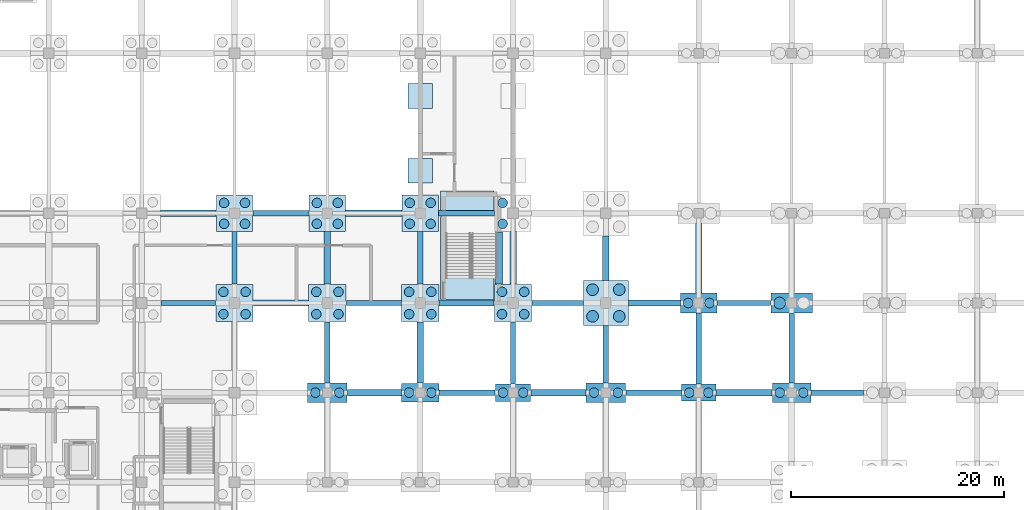
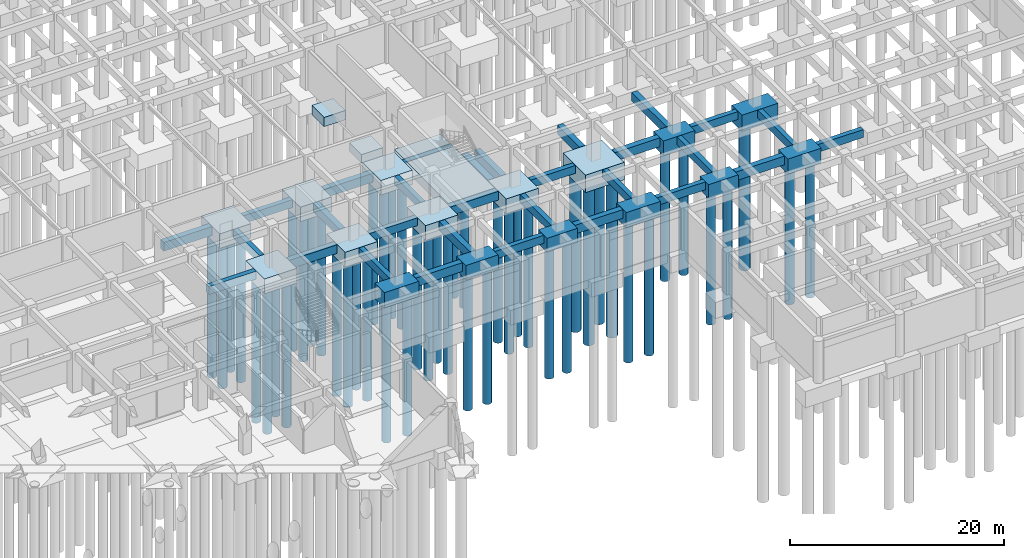
# One storey, part 6 of 33: 50 footings, 49 piles.
"""IFC4 building model written with IfcOpenShell, lengths in metres."""

from ifc_helpers import new_model, si_unit, derived_unit, direction, frame, origin, origin_2d, place, context, subcontext, project, spatial, rectangle, circle, extrude, material, material_profile, profile_set, type_object, element, save


model = new_model("IFC4")

# Units and contexts
model_context = context("Model", 3, precision=1e-05, world=origin(), true_north=direction((0.0, 1.0)))
body_context = subcontext(model_context, "Body", "Model", "MODEL_VIEW")
ifc_project = project(units=[si_unit("LENGTHUNIT", "METRE"), si_unit("AREAUNIT", "SQUARE_METRE"), si_unit("VOLUMEUNIT", "CUBIC_METRE"), si_unit("PLANEANGLEUNIT", "RADIAN"), si_unit("MASSUNIT", "GRAM", prefix="KILO"), derived_unit("THERMALTRANSMITTANCEUNIT", [(si_unit("MASSUNIT", "GRAM", prefix="KILO"), 1), (si_unit("TIMEUNIT", "SECOND"), -3), (si_unit("THERMODYNAMICTEMPERATUREUNIT", "KELVIN"), -1)])], contexts=[model_context])

# Site, building, storey
site_placement = place(None, origin())
site = spatial("IfcSite", under=ifc_project, at=site_placement, CompositionType="ELEMENT")
building_placement = place(site_placement, origin())
building = spatial("IfcBuilding", under=site, at=building_placement, Name="Qinzheling Arcade Emporium", CompositionType="ELEMENT")
storey_placement = place(building_placement, frame((0.0, 0.0, -9.60009765625)))
storey = spatial("IfcBuildingStorey", under=building, at=storey_placement, Name="B2", CompositionType="ELEMENT", Elevation=-9.60009765625)

# Footings
ifc_material = material(Name="Concrete C40", Category="concrete")
footing_type_1 = type_object("IfcFootingType", Name="Arcade Pad Footing 2400x2400x1050 C40", PredefinedType="PAD_FOOTING", material=ifc_material)
footing_1_placement = place(storey_placement, frame((87.0, 61.39990234375, -1.0498046875), z_axis=(0.0, 0.0, 1.0), x_axis=(1.0, 0.0, 0.0)))
element("IfcFooting", 1, at=footing_1_placement, inside=storey, type_object=footing_type_1, Name="Retaining Wall Pad Footing FND-PF-RW-085", PredefinedType="PAD_FOOTING", context=body_context, shape_type="SweptSolid", body=[
    extrude(rectangle(XDim=2.300048828125, YDim=2.300048828125, at=origin_2d()), origin(), (0.0, 0.0, 1.0), 1.050048828125),
])
footing_type_2 = type_object("IfcFootingType", Name="Canopy Pad Footing 2600x2600x1100 C40", PredefinedType="PAD_FOOTING", material=ifc_material)
footing_2_placement = place(storey_placement, frame((91.4150390625, 46.22509765625, -1.099853515625), z_axis=(0.0, 0.0, 1.0), x_axis=(1.0, 0.0, 0.0)))
element("IfcFooting", 2, at=footing_2_placement, inside=storey, type_object=footing_type_2, Name="Stair Core Mat Pad FND-PF-ST-ST04-1", PredefinedType="PAD_FOOTING", context=body_context, shape_type="SweptSolid", body=[
    extrude(rectangle(XDim=5.02587890625, YDim=7.805908203125, at=origin_2d()), origin(), (0.0, 0.0, 1.0), 1.10009765625),
])
footing_3_placement = place(storey_placement, frame((91.4150390625, 51.5849609375, -1.099853515625), z_axis=(0.0, 0.0, 1.0), x_axis=(1.0, 0.0, 0.0)))
element("IfcFooting", 3, at=footing_3_placement, inside=storey, type_object=footing_type_2, Name="Stair Core Mat Pad FND-PF-ST-ST04-2", PredefinedType="PAD_FOOTING", context=body_context, shape_type="SweptSolid", body=[
    extrude(rectangle(XDim=5.02587890625, YDim=1.825927734375, at=origin_2d()), origin(), (0.0, 0.0, 1.0), 1.10009765625),
])
footing_4_placement = place(storey_placement, frame((94.344970703125, 46.22509765625, -1.099853515625), z_axis=(0.0, 0.0, 1.0), x_axis=(1.0, 0.0, 0.0)))
element("IfcFooting", 4, at=footing_4_placement, inside=storey, type_object=footing_type_2, Name="Stair Core Mat Pad FND-PF-ST-ST04-3", PredefinedType="PAD_FOOTING", context=body_context, shape_type="SweptSolid", body=[
    extrude(rectangle(XDim=0.68603515625, YDim=4.906005859375, at=origin_2d()), origin(), (0.0, 0.0, 1.0), 1.10009765625),
])
footing_type_3 = type_object("IfcFootingType", Name="Foundation Tie Beam 500x900 C40", PredefinedType="FOOTING_BEAM", material=ifc_material)
footing_5_placement = place(storey_placement, frame((91.39990234375, 33.60009765625, -0.89990234375), z_axis=(0.0, 0.0, 1.0), x_axis=(1.0, 0.0, 0.0)))
element("IfcFooting", 5, at=footing_5_placement, inside=storey, type_object=footing_type_3, Name="Foundation Tie FND-FB-063", PredefinedType="FOOTING_BEAM", context=body_context, shape_type="SweptSolid", body=[
    extrude(rectangle(XDim=5.260009765625, YDim=0.5, at=origin_2d()), origin(), (0.0, 0.0, 1.0), 0.89990234375),
])
footing_6_placement = place(storey_placement, frame((108.875, 33.60009765625, -0.89990234375), z_axis=(0.0, 0.0, 1.0), x_axis=(1.0, 0.0, 0.0)))
element("IfcFooting", 6, at=footing_6_placement, inside=storey, type_object=footing_type_3, Name="Foundation Tie FND-FB-065", PredefinedType="FOOTING_BEAM", context=body_context, shape_type="SweptSolid", body=[
    extrude(rectangle(XDim=5.2099609375, YDim=0.5, at=origin_2d()), origin(), (0.0, 0.0, 1.0), 0.89990234375),
])
footing_7_placement = place(storey_placement, frame((126.074951171875, 33.60009765625, -0.89990234375), z_axis=(0.0, 0.0, 1.0), x_axis=(1.0, 0.0, 0.0)))
element("IfcFooting", 7, at=footing_7_placement, inside=storey, type_object=footing_type_3, Name="Foundation Tie FND-FB-067", PredefinedType="FOOTING_BEAM", context=body_context, shape_type="SweptSolid", body=[
    extrude(rectangle(XDim=4.909912109375, YDim=0.5, at=origin_2d()), origin(), (0.0, 0.0, 1.0), 0.89990234375),
])
footing_8_placement = place(storey_placement, frame((65.27490234375, 42.0, -0.89990234375), z_axis=(0.0, 0.0, 1.0), x_axis=(1.0, 0.0, 0.0)))
element("IfcFooting", 8, at=footing_8_placement, inside=storey, type_object=footing_type_3, Name="Foundation Tie FND-FB-079", PredefinedType="FOOTING_BEAM", context=body_context, shape_type="SweptSolid", body=[
    extrude(rectangle(XDim=5.110107421875, YDim=0.5, at=origin_2d()), origin(), (0.0, 0.0, 1.0), 0.89990234375),
])
footing_9_placement = place(storey_placement, frame((82.64990234375, 42.0, -0.89990234375), z_axis=(0.0, 0.0, 1.0), x_axis=(1.0, 0.0, 0.0)))
element("IfcFooting", 9, at=footing_9_placement, inside=storey, type_object=footing_type_3, Name="Foundation Tie FND-FB-081", PredefinedType="FOOTING_BEAM", context=body_context, shape_type="SweptSolid", body=[
    extrude(rectangle(XDim=5.159912109375, YDim=0.5, at=origin_2d()), origin(), (0.0, 0.0, 1.0), 0.89990234375),
])
footing_10_placement = place(storey_placement, frame((99.875, 42.0, -0.89990234375), z_axis=(0.0, 0.0, 1.0), x_axis=(1.0, 0.0, 0.0)))
element("IfcFooting", 10, at=footing_10_placement, inside=storey, type_object=footing_type_3, Name="Foundation Tie FND-FB-083", PredefinedType="FOOTING_BEAM", context=body_context, shape_type="SweptSolid", body=[
    extrude(rectangle(XDim=4.81005859375, YDim=0.5, at=origin_2d()), origin(), (0.0, 0.0, 1.0), 0.89990234375),
])
footing_11_placement = place(storey_placement, frame((117.324951171875, 42.0, -0.89990234375), z_axis=(0.0, 0.0, 1.0), x_axis=(1.0, 0.0, 0.0)))
element("IfcFooting", 11, at=footing_11_placement, inside=storey, type_object=footing_type_3, Name="Foundation Tie FND-FB-085", PredefinedType="FOOTING_BEAM", context=body_context, shape_type="SweptSolid", body=[
    extrude(rectangle(XDim=5.010009765625, YDim=0.5, at=origin_2d()), origin(), (0.0, 0.0, 1.0), 0.89990234375),
])
for number, where, z_axis, x_axis, name in (
    (12, (73.949951171875, 50.39990234375, -0.89990234375), (0.0, 0.0, 1.0), (1.0, 0.0, 0.0), "Foundation Tie FND-FB-097"),
    (13, (91.35009765625, 50.39990234375, -0.89990234375), (0.0, 0.0, 1.0), (1.0, 0.0, 0.0), "Foundation Tie FND-FB-099"),
):
    element("IfcFooting", number, at=place(storey_placement, frame(where, z_axis=z_axis, x_axis=x_axis)), inside=storey, type_object=footing_type_3, Name=name, PredefinedType="FOOTING_BEAM", context=body_context, shape_type="SweptSolid", body=[
        extrude(rectangle(XDim=5.260009765625, YDim=0.5, at=origin_2d()), origin(), (0.0, 0.0, 1.0), 0.89990234375),
    ])
footing_12_placement = place(storey_placement, frame((69.60009765625, 46.22509765625, -0.89990234375), z_axis=(0.0, 0.0, 1.0), x_axis=(1.0, 0.0, 0.0)))
element("IfcFooting", 14, at=footing_12_placement, inside=storey, type_object=footing_type_3, Name="Foundation Tie FND-FB-239", PredefinedType="FOOTING_BEAM", context=body_context, shape_type="SweptSolid", body=[
    extrude(rectangle(XDim=0.5, YDim=4.909912109375, at=origin_2d()), origin(), (0.0, 0.0, 1.0), 0.89990234375),
])
footing_13_placement = place(storey_placement, frame((78.300048828125, 37.375, -0.89990234375), z_axis=(0.0, 0.0, 1.0), x_axis=(1.0, 0.0, 0.0)))
element("IfcFooting", 15, at=footing_13_placement, inside=storey, type_object=footing_type_3, Name="Foundation Tie FND-FB-247", PredefinedType="FOOTING_BEAM", context=body_context, shape_type="SweptSolid", body=[
    extrude(rectangle(XDim=0.5, YDim=5.7099609375, at=origin_2d()), origin(), (0.0, 0.0, 1.0), 0.89990234375),
])
footing_14_placement = place(storey_placement, frame((87.0, 46.22509765625, -0.89990234375), z_axis=(0.0, 0.0, 1.0), x_axis=(1.0, 0.0, 0.0)))
element("IfcFooting", 16, at=footing_14_placement, inside=storey, type_object=footing_type_3, Name="Foundation Tie FND-FB-257", PredefinedType="FOOTING_BEAM", context=body_context, shape_type="SweptSolid", body=[
    extrude(rectangle(XDim=0.5, YDim=4.909912109375, at=origin_2d()), origin(), (0.0, 0.0, 1.0), 0.89990234375),
])
footing_15_placement = place(storey_placement, frame((95.699951171875, 37.3369140625, -0.89990234375), z_axis=(0.0, 0.0, 1.0), x_axis=(1.0, 0.0, 0.0)))
element("IfcFooting", 17, at=footing_15_placement, inside=storey, type_object=footing_type_3, Name="Foundation Tie FND-FB-265", PredefinedType="FOOTING_BEAM", context=body_context, shape_type="SweptSolid", body=[
    extrude(rectangle(XDim=0.5, YDim=5.784912109375, at=origin_2d()), origin(), (0.0, 0.0, 1.0), 0.89990234375),
])
footing_16_placement = place(storey_placement, frame((104.39990234375, 37.199951171875, -0.89990234375), z_axis=(0.0, 0.0, 1.0), x_axis=(1.0, 0.0, 0.0)))
element("IfcFooting", 18, at=footing_16_placement, inside=storey, type_object=footing_type_3, Name="Foundation Tie FND-FB-277", PredefinedType="FOOTING_BEAM", context=body_context, shape_type="SweptSolid", body=[
    extrude(rectangle(XDim=0.5, YDim=5.360107421875, at=origin_2d()), origin(), (0.0, 0.0, 1.0), 0.89990234375),
])
footing_17_placement = place(storey_placement, frame((113.10009765625, 37.737060546875, -0.89990234375), z_axis=(0.0, 0.0, 1.0), x_axis=(1.0, 0.0, 0.0)))
element("IfcFooting", 19, at=footing_17_placement, inside=storey, type_object=footing_type_3, Name="Foundation Tie FND-FB-289", PredefinedType="FOOTING_BEAM", context=body_context, shape_type="SweptSolid", body=[
    extrude(rectangle(XDim=0.5, YDim=6.635009765625, at=origin_2d()), origin(), (0.0, 0.0, 1.0), 0.89990234375),
])
footing_18_placement = place(storey_placement, frame((121.800048828125, 37.77490234375, -0.89990234375), z_axis=(0.0, 0.0, 1.0), x_axis=(1.0, 0.0, 0.0)))
element("IfcFooting", 20, at=footing_18_placement, inside=storey, type_object=footing_type_3, Name="Foundation Tie FND-FB-301", PredefinedType="FOOTING_BEAM", context=body_context, shape_type="SweptSolid", body=[
    extrude(rectangle(XDim=0.5, YDim=6.510009765625, at=origin_2d()), origin(), (0.0, 0.0, 1.0), 0.89990234375),
])
footing_type_4 = type_object("IfcFootingType", Name="Foundation Tie Beam 600x1000 C40", PredefinedType="FOOTING_BEAM", material=ifc_material)
footing_19_placement = place(storey_placement, frame((82.699951171875, 33.60009765625, -1.0), z_axis=(0.0, 0.0, 1.0), x_axis=(1.0, 0.0, 0.0)))
element("IfcFooting", 21, at=footing_19_placement, inside=storey, type_object=footing_type_4, Name="Foundation Tie FND-FB-062", PredefinedType="FOOTING_BEAM", context=body_context, shape_type="SweptSolid", body=[
    extrude(rectangle(XDim=5.06005859375, YDim=0.60009765625, at=origin_2d()), origin(), (0.0, 0.0, 1.0), 1.0),
])
footing_20_placement = place(storey_placement, frame((99.949951171875, 33.60009765625, -1.0), z_axis=(0.0, 0.0, 1.0), x_axis=(1.0, 0.0, 0.0)))
element("IfcFooting", 22, at=footing_20_placement, inside=storey, type_object=footing_type_4, Name="Foundation Tie FND-FB-064", PredefinedType="FOOTING_BEAM", context=body_context, shape_type="SweptSolid", body=[
    extrude(rectangle(XDim=5.159912109375, YDim=0.60009765625, at=origin_2d()), origin(), (0.0, 0.0, 1.0), 1.0),
])
footing_21_placement = place(storey_placement, frame((117.35009765625, 33.60009765625, -1.0), z_axis=(0.0, 0.0, 1.0), x_axis=(1.0, 0.0, 0.0)))
element("IfcFooting", 23, at=footing_21_placement, inside=storey, type_object=footing_type_4, Name="Foundation Tie FND-FB-066", PredefinedType="FOOTING_BEAM", context=body_context, shape_type="SweptSolid", body=[
    extrude(rectangle(XDim=5.260009765625, YDim=0.60009765625, at=origin_2d()), origin(), (0.0, 0.0, 1.0), 1.0),
])
for number, where, z_axis, x_axis, name in (
    (24, (73.949951171875, 42.0, -1.0), (0.0, 0.0, 1.0), (1.0, 0.0, 0.0), "Foundation Tie FND-FB-080"),
    (25, (91.35009765625, 42.0, -1.0), (0.0, 0.0, 1.0), (1.0, 0.0, 0.0), "Foundation Tie FND-FB-082"),
):
    element("IfcFooting", number, at=place(storey_placement, frame(where, z_axis=z_axis, x_axis=x_axis)), inside=storey, type_object=footing_type_4, Name=name, PredefinedType="FOOTING_BEAM", context=body_context, shape_type="SweptSolid", body=[
        extrude(rectangle(XDim=5.159912109375, YDim=0.60009765625, at=origin_2d()), origin(), (0.0, 0.0, 1.0), 1.0),
    ])
footing_22_placement = place(storey_placement, frame((108.949951171875, 42.0, -1.0), z_axis=(0.0, 0.0, 1.0), x_axis=(1.0, 0.0, 0.0)))
element("IfcFooting", 26, at=footing_22_placement, inside=storey, type_object=footing_type_4, Name="Foundation Tie FND-FB-084", PredefinedType="FOOTING_BEAM", context=body_context, shape_type="SweptSolid", body=[
    extrude(rectangle(XDim=4.860107421875, YDim=0.60009765625, at=origin_2d()), origin(), (0.0, 0.0, 1.0), 1.0),
])
footing_23_placement = place(storey_placement, frame((65.27490234375, 50.39990234375, -1.0), z_axis=(0.0, 0.0, 1.0), x_axis=(1.0, 0.0, 0.0)))
element("IfcFooting", 27, at=footing_23_placement, inside=storey, type_object=footing_type_4, Name="Foundation Tie FND-FB-096", PredefinedType="FOOTING_BEAM", context=body_context, shape_type="SweptSolid", body=[
    extrude(rectangle(XDim=5.2099609375, YDim=0.60009765625, at=origin_2d()), origin(), (0.0, 0.0, 1.0), 1.0),
])
footing_24_placement = place(storey_placement, frame((82.64990234375, 50.39990234375, -1.0), z_axis=(0.0, 0.0, 1.0), x_axis=(1.0, 0.0, 0.0)))
element("IfcFooting", 28, at=footing_24_placement, inside=storey, type_object=footing_type_4, Name="Foundation Tie FND-FB-098", PredefinedType="FOOTING_BEAM", context=body_context, shape_type="SweptSolid", body=[
    extrude(rectangle(XDim=5.260009765625, YDim=0.60009765625, at=origin_2d()), origin(), (0.0, 0.0, 1.0), 1.0),
])
footing_25_placement = place(storey_placement, frame((78.300048828125, 46.22509765625, -1.0), z_axis=(0.0, 0.0, 1.0), x_axis=(1.0, 0.0, 0.0)))
element("IfcFooting", 29, at=footing_25_placement, inside=storey, type_object=footing_type_4, Name="Foundation Tie FND-FB-248", PredefinedType="FOOTING_BEAM", context=body_context, shape_type="SweptSolid", body=[
    extrude(rectangle(XDim=0.60009765625, YDim=4.909912109375, at=origin_2d()), origin(), (0.0, 0.0, 1.0), 1.0),
])
footing_26_placement = place(storey_placement, frame((87.0, 37.362060546875, -1.0), z_axis=(0.0, 0.0, 1.0), x_axis=(1.0, 0.0, 0.0)))
element("IfcFooting", 30, at=footing_26_placement, inside=storey, type_object=footing_type_4, Name="Foundation Tie FND-FB-256", PredefinedType="FOOTING_BEAM", context=body_context, shape_type="SweptSolid", body=[
    extrude(rectangle(XDim=0.60009765625, YDim=5.735107421875, at=origin_2d()), origin(), (0.0, 0.0, 1.0), 1.0),
])
footing_27_placement = place(storey_placement, frame((95.699951171875, 46.22509765625, -1.0), z_axis=(0.0, 0.0, 1.0), x_axis=(1.0, 0.0, 0.0)))
element("IfcFooting", 31, at=footing_27_placement, inside=storey, type_object=footing_type_4, Name="Foundation Tie FND-FB-266", PredefinedType="FOOTING_BEAM", context=body_context, shape_type="SweptSolid", body=[
    extrude(rectangle(XDim=0.60009765625, YDim=4.909912109375, at=origin_2d()), origin(), (0.0, 0.0, 1.0), 1.0),
])
footing_28_placement = place(storey_placement, frame((104.39990234375, 46.199951171875, -1.0), z_axis=(0.0, 0.0, 1.0), x_axis=(1.0, 0.0, 0.0)))
element("IfcFooting", 32, at=footing_28_placement, inside=storey, type_object=footing_type_4, Name="Foundation Tie FND-FB-278", PredefinedType="FOOTING_BEAM", context=body_context, shape_type="SweptSolid", body=[
    extrude(rectangle(XDim=0.60009765625, YDim=4.159912109375, at=origin_2d()), origin(), (0.0, 0.0, 1.0), 1.0),
])
footing_29_placement = place(storey_placement, frame((113.10009765625, 46.18798828125, -1.0), z_axis=(0.0, 0.0, 1.0), x_axis=(1.0, 0.0, 0.0)))
element("IfcFooting", 33, at=footing_29_placement, inside=storey, type_object=footing_type_4, Name="Foundation Tie FND-FB-290", PredefinedType="FOOTING_BEAM", context=body_context, shape_type="SweptSolid", body=[
    extrude(rectangle(XDim=0.60009765625, YDim=6.485107421875, at=origin_2d()), origin(), (0.0, 0.0, 1.0), 1.0),
])
footing_type_5 = type_object("IfcFootingType", Name="Four-Pile Gallery Cap 3500x3500x1700 C40", PredefinedType="PILE_CAP", material=ifc_material)
for number, where, z_axis, x_axis, name in (
    (34, (69.60009765625, 42.0, -1.69970703125), (0.0, 0.0, 1.0), (1.0, 0.0, 0.0), "Pile Cap FND-PC-074"),
    (35, (78.300048828125, 42.0, -1.69970703125), (0.0, 0.0, 1.0), (1.0, 0.0, 0.0), "Pile Cap FND-PC-085"),
    (36, (87.0, 42.0, -1.69970703125), (0.0, 0.0, 1.0), (1.0, 0.0, 0.0), "Pile Cap FND-PC-096"),
    (37, (95.699951171875, 42.0, -1.69970703125), (0.0, 0.0, 1.0), (1.0, 0.0, 0.0), "Pile Cap FND-PC-107"),
):
    element("IfcFooting", number, at=place(storey_placement, frame(where, z_axis=z_axis, x_axis=x_axis)), inside=storey, type_object=footing_type_5, Name=name, PredefinedType="PILE_CAP", context=body_context, shape_type="SweptSolid", body=[
        extrude(rectangle(XDim=3.5, YDim=3.5, at=origin_2d()), origin(), (0.0, 0.0, 1.0), 1.699951171875),
    ])
footing_type_6 = type_object("IfcFootingType", Name="Four-Pile Heavy Cap 4200x4200x2000 C40", PredefinedType="PILE_CAP", material=ifc_material)
footing_30_placement = place(storey_placement, frame((104.39990234375, 42.0, -2.0), z_axis=(0.0, 0.0, 1.0), x_axis=(1.0, 0.0, 0.0)))
element("IfcFooting", 38, at=footing_30_placement, inside=storey, type_object=footing_type_6, Name="Pile Cap FND-PC-121", PredefinedType="PILE_CAP", context=body_context, shape_type="SweptSolid", body=[
    extrude(rectangle(XDim=4.199951171875, YDim=4.199951171875, at=origin_2d()), origin(), (0.0, 0.0, 1.0), 2.0),
])
footing_type_7 = type_object("IfcFootingType", Name="Four-Pile Wing Cap 3400x3400x1650 C40", PredefinedType="PILE_CAP", material=ifc_material)
for number, where, z_axis, x_axis, name in (
    (39, (69.60009765625, 50.39990234375, -1.64990234375), (0.0, 0.0, 1.0), (1.0, 0.0, 0.0), "Pile Cap FND-PC-075"),
    (40, (78.300048828125, 50.39990234375, -1.64990234375), (0.0, 0.0, 1.0), (1.0, 0.0, 0.0), "Pile Cap FND-PC-086"),
    (41, (87.0, 50.39990234375, -1.64990234375), (0.0, 0.0, 1.0), (1.0, 0.0, 0.0), "Pile Cap FND-PC-097"),
):
    element("IfcFooting", number, at=place(storey_placement, frame(where, z_axis=z_axis, x_axis=x_axis)), inside=storey, type_object=footing_type_7, Name=name, PredefinedType="PILE_CAP", context=body_context, shape_type="SweptSolid", body=[
        extrude(rectangle(XDim=3.39990234375, YDim=3.39990234375, at=origin_2d()), origin(), (0.0, 0.0, 1.0), 1.64990234375),
    ])
footing_type_8 = type_object("IfcFootingType", Name="Loggia Pad Footing 2200x2200x1000 C40", PredefinedType="PAD_FOOTING", material=ifc_material)
footing_31_placement = place(storey_placement, frame((87.0, 54.39990234375, -1.0), z_axis=(0.0, 0.0, 1.0), x_axis=(1.0, 0.0, 0.0)))
element("IfcFooting", 42, at=footing_31_placement, inside=storey, type_object=footing_type_8, Name="Retaining Wall Pad Footing FND-PF-RW-084", PredefinedType="PAD_FOOTING", context=body_context, shape_type="SweptSolid", body=[
    extrude(rectangle(XDim=2.300048828125, YDim=2.300048828125, at=origin_2d()), origin(), (0.0, 0.0, 1.0), 1.0),
])

# Piles
ifc_material_profile_1 = material_profile(ifc_material, circle(Radius=0.550048828125, at=origin_2d()), Name="BORED D1100", Category="concrete")
ifc_profile_set_1 = profile_set([ifc_material_profile_1], Name="Concrete C40")
pile_type_1 = type_object("IfcPileType", Name="Rotary Bored Pile D1100 C40", PredefinedType="BORED", material=ifc_profile_set_1)
for number, where, z_axis, x_axis, name in (
    (43, (103.14990234375, 40.75, -1.89990234375), (0.0, 0.0, -1.0), (1.0, 0.0, 0.0), "Bored Pile FND-PL-0371"),
    (44, (105.64990234375, 40.75, -1.89990234375), (0.0, 0.0, -1.0), (1.0, 0.0, 0.0), "Bored Pile FND-PL-0372"),
    (45, (103.14990234375, 43.25, -1.89990234375), (0.0, 0.0, -1.0), (1.0, 0.0, 0.0), "Bored Pile FND-PL-0373"),
    (46, (105.64990234375, 43.25, -1.89990234375), (0.0, 0.0, -1.0), (1.0, 0.0, 0.0), "Bored Pile FND-PL-0374"),
):
    element("IfcPile", number, at=place(storey_placement, frame(where, z_axis=z_axis, x_axis=x_axis)), inside=storey, type_object=pile_type_1, Name=name, PredefinedType="BORED", context=body_context, shape_type="SweptSolid", body=[
        extrude(circle(Radius=0.550048828125, at=origin_2d()), origin(), (0.0, 0.0, 1.0), 18.0),
    ])
pile_placement = place(storey_placement, frame((120.679931640625, 42.0, -1.75), z_axis=(0.0, 0.0, -1.0), x_axis=(1.0, 0.0, 0.0)))
element("IfcPile", 47, at=pile_placement, inside=storey, type_object=pile_type_1, Name="Bored Pile FND-PL-0459", PredefinedType="BORED", context=body_context, shape_type="SweptSolid", body=[
    extrude(circle(Radius=0.550048828125, at=origin_2d()), origin(), (0.0, 0.0, 1.0), 16.5),
])
ifc_material_profile_2 = material_profile(ifc_material, circle(Radius=0.449951171875, at=origin_2d()), Name="BORED D900", Category="concrete")
ifc_profile_set_2 = profile_set([ifc_material_profile_2], Name="Concrete C40")
pile_type_2 = type_object("IfcPileType", Name="Rotary Bored Pile D900 C40", PredefinedType="BORED", material=ifc_profile_set_2)
for number, where, z_axis, x_axis, name in (
    (48, (68.56005859375, 40.9599609375, -1.599853515625), (0.0, 0.0, -1.0), (1.0, 0.0, 0.0), "Bored Pile FND-PL-0245"),
    (49, (70.639892578125, 40.9599609375, -1.599853515625), (0.0, 0.0, -1.0), (1.0, 0.0, 0.0), "Bored Pile FND-PL-0246"),
    (50, (68.56005859375, 43.0400390625, -1.599853515625), (0.0, 0.0, -1.0), (1.0, 0.0, 0.0), "Bored Pile FND-PL-0247"),
    (51, (70.639892578125, 43.0400390625, -1.599853515625), (0.0, 0.0, -1.0), (1.0, 0.0, 0.0), "Bored Pile FND-PL-0248"),
    (52, (68.6201171875, 49.419921875, -1.5498046875), (0.0, 0.0, -1.0), (1.0, 0.0, 0.0), "Bored Pile FND-PL-0249"),
    (53, (70.580078125, 49.419921875, -1.5498046875), (0.0, 0.0, -1.0), (1.0, 0.0, 0.0), "Bored Pile FND-PL-0250"),
    (54, (68.6201171875, 51.3798828125, -1.5498046875), (0.0, 0.0, -1.0), (1.0, 0.0, 0.0), "Bored Pile FND-PL-0251"),
    (55, (70.580078125, 51.3798828125, -1.5498046875), (0.0, 0.0, -1.0), (1.0, 0.0, 0.0), "Bored Pile FND-PL-0252"),
):
    element("IfcPile", number, at=place(storey_placement, frame(where, z_axis=z_axis, x_axis=x_axis)), inside=storey, type_object=pile_type_2, Name=name, PredefinedType="BORED", context=body_context, shape_type="SweptSolid", body=[
        extrude(circle(Radius=0.449951171875, at=origin_2d()), origin(), (0.0, 0.0, 1.0), 16.5),
    ])
for number, where, z_axis, x_axis, name in (
    (56, (77.179931640625, 33.60009765625, -1.64990234375), (0.0, 0.0, -1.0), (1.0, 0.0, 0.0), "Bored Pile FND-PL-0273"),
    (57, (79.419921875, 33.60009765625, -1.64990234375), (0.0, 0.0, -1.0), (1.0, 0.0, 0.0), "Bored Pile FND-PL-0274"),
):
    element("IfcPile", number, at=place(storey_placement, frame(where, z_axis=z_axis, x_axis=x_axis)), inside=storey, type_object=pile_type_2, Name=name, PredefinedType="BORED", context=body_context, shape_type="SweptSolid", body=[
        extrude(circle(Radius=0.449951171875, at=origin_2d()), origin(), (0.0, 0.0, 1.0), 16.0),
    ])
for number, where, z_axis, x_axis, name in (
    (58, (77.260009765625, 40.9599609375, -1.599853515625), (0.0, 0.0, -1.0), (1.0, 0.0, 0.0), "Bored Pile FND-PL-0275"),
    (59, (79.340087890625, 40.9599609375, -1.599853515625), (0.0, 0.0, -1.0), (1.0, 0.0, 0.0), "Bored Pile FND-PL-0276"),
    (60, (77.260009765625, 43.0400390625, -1.599853515625), (0.0, 0.0, -1.0), (1.0, 0.0, 0.0), "Bored Pile FND-PL-0277"),
    (61, (79.340087890625, 43.0400390625, -1.599853515625), (0.0, 0.0, -1.0), (1.0, 0.0, 0.0), "Bored Pile FND-PL-0278"),
    (62, (77.320068359375, 49.419921875, -1.5498046875), (0.0, 0.0, -1.0), (1.0, 0.0, 0.0), "Bored Pile FND-PL-0279"),
    (63, (79.280029296875, 49.419921875, -1.5498046875), (0.0, 0.0, -1.0), (1.0, 0.0, 0.0), "Bored Pile FND-PL-0280"),
    (64, (77.320068359375, 51.3798828125, -1.5498046875), (0.0, 0.0, -1.0), (1.0, 0.0, 0.0), "Bored Pile FND-PL-0281"),
    (65, (79.280029296875, 51.3798828125, -1.5498046875), (0.0, 0.0, -1.0), (1.0, 0.0, 0.0), "Bored Pile FND-PL-0282"),
):
    element("IfcPile", number, at=place(storey_placement, frame(where, z_axis=z_axis, x_axis=x_axis)), inside=storey, type_object=pile_type_2, Name=name, PredefinedType="BORED", context=body_context, shape_type="SweptSolid", body=[
        extrude(circle(Radius=0.449951171875, at=origin_2d()), origin(), (0.0, 0.0, 1.0), 16.5),
    ])
for number, where, z_axis, x_axis, name in (
    (66, (85.949951171875, 33.60009765625, -1.5498046875), (0.0, 0.0, -1.0), (1.0, 0.0, 0.0), "Bored Pile FND-PL-0303"),
    (67, (88.050048828125, 33.60009765625, -1.5498046875), (0.0, 0.0, -1.0), (1.0, 0.0, 0.0), "Bored Pile FND-PL-0304"),
):
    element("IfcPile", number, at=place(storey_placement, frame(where, z_axis=z_axis, x_axis=x_axis)), inside=storey, type_object=pile_type_2, Name=name, PredefinedType="BORED", context=body_context, shape_type="SweptSolid", body=[
        extrude(circle(Radius=0.449951171875, at=origin_2d()), origin(), (0.0, 0.0, 1.0), 15.5),
    ])
for number, where, z_axis, x_axis, name in (
    (68, (85.9599609375, 40.9599609375, -1.599853515625), (0.0, 0.0, -1.0), (1.0, 0.0, 0.0), "Bored Pile FND-PL-0305"),
    (69, (88.0400390625, 40.9599609375, -1.599853515625), (0.0, 0.0, -1.0), (1.0, 0.0, 0.0), "Bored Pile FND-PL-0306"),
    (70, (85.9599609375, 43.0400390625, -1.599853515625), (0.0, 0.0, -1.0), (1.0, 0.0, 0.0), "Bored Pile FND-PL-0307"),
    (71, (88.0400390625, 43.0400390625, -1.599853515625), (0.0, 0.0, -1.0), (1.0, 0.0, 0.0), "Bored Pile FND-PL-0308"),
    (72, (86.02001953125, 49.419921875, -1.5498046875), (0.0, 0.0, -1.0), (1.0, 0.0, 0.0), "Bored Pile FND-PL-0309"),
    (73, (87.97998046875, 49.419921875, -1.5498046875), (0.0, 0.0, -1.0), (1.0, 0.0, 0.0), "Bored Pile FND-PL-0310"),
    (74, (86.02001953125, 51.3798828125, -1.5498046875), (0.0, 0.0, -1.0), (1.0, 0.0, 0.0), "Bored Pile FND-PL-0311"),
    (75, (87.97998046875, 51.3798828125, -1.5498046875), (0.0, 0.0, -1.0), (1.0, 0.0, 0.0), "Bored Pile FND-PL-0312"),
):
    element("IfcPile", number, at=place(storey_placement, frame(where, z_axis=z_axis, x_axis=x_axis)), inside=storey, type_object=pile_type_2, Name=name, PredefinedType="BORED", context=body_context, shape_type="SweptSolid", body=[
        extrude(circle(Radius=0.449951171875, at=origin_2d()), origin(), (0.0, 0.0, 1.0), 16.5),
    ])
for number, where, z_axis, x_axis, name in (
    (76, (94.75, 33.60009765625, -1.5), (0.0, 0.0, -1.0), (1.0, 0.0, 0.0), "Bored Pile FND-PL-0333"),
    (77, (96.64990234375, 33.60009765625, -1.5), (0.0, 0.0, -1.0), (1.0, 0.0, 0.0), "Bored Pile FND-PL-0334"),
):
    element("IfcPile", number, at=place(storey_placement, frame(where, z_axis=z_axis, x_axis=x_axis)), inside=storey, type_object=pile_type_2, Name=name, PredefinedType="BORED", context=body_context, shape_type="SweptSolid", body=[
        extrude(circle(Radius=0.449951171875, at=origin_2d()), origin(), (0.0, 0.0, 1.0), 15.0),
    ])
for number, where, z_axis, x_axis, name in (
    (78, (94.659912109375, 40.9599609375, -1.599853515625), (0.0, 0.0, -1.0), (1.0, 0.0, 0.0), "Bored Pile FND-PL-0335"),
    (79, (96.739990234375, 40.9599609375, -1.599853515625), (0.0, 0.0, -1.0), (1.0, 0.0, 0.0), "Bored Pile FND-PL-0336"),
    (80, (94.659912109375, 43.0400390625, -1.599853515625), (0.0, 0.0, -1.0), (1.0, 0.0, 0.0), "Bored Pile FND-PL-0337"),
    (81, (96.739990234375, 43.0400390625, -1.599853515625), (0.0, 0.0, -1.0), (1.0, 0.0, 0.0), "Bored Pile FND-PL-0338"),
    (82, (94.719970703125, 49.419921875, -1.5498046875), (0.0, 0.0, -1.0), (1.0, 0.0, 0.0), "Bored Pile FND-PL-0339"),
    (83, (94.719970703125, 51.3798828125, -1.5498046875), (0.0, 0.0, -1.0), (1.0, 0.0, 0.0), "Bored Pile FND-PL-0341"),
):
    element("IfcPile", number, at=place(storey_placement, frame(where, z_axis=z_axis, x_axis=x_axis)), inside=storey, type_object=pile_type_2, Name=name, PredefinedType="BORED", context=body_context, shape_type="SweptSolid", body=[
        extrude(circle(Radius=0.449951171875, at=origin_2d()), origin(), (0.0, 0.0, 1.0), 16.5),
    ])
for number, where, z_axis, x_axis, name in (
    (84, (103.280029296875, 33.60009765625, -1.64990234375), (0.0, 0.0, -1.0), (1.0, 0.0, 0.0), "Bored Pile FND-PL-0369"),
    (85, (105.52001953125, 33.60009765625, -1.64990234375), (0.0, 0.0, -1.0), (1.0, 0.0, 0.0), "Bored Pile FND-PL-0370"),
):
    element("IfcPile", number, at=place(storey_placement, frame(where, z_axis=z_axis, x_axis=x_axis)), inside=storey, type_object=pile_type_2, Name=name, PredefinedType="BORED", context=body_context, shape_type="SweptSolid", body=[
        extrude(circle(Radius=0.449951171875, at=origin_2d()), origin(), (0.0, 0.0, 1.0), 16.0),
    ])
for number, where, z_axis, x_axis, name in (
    (86, (112.199951171875, 33.60009765625, -1.449951171875), (0.0, 0.0, -1.0), (1.0, 0.0, 0.0), "Bored Pile FND-PL-0413"),
    (87, (114.0, 33.60009765625, -1.449951171875), (0.0, 0.0, -1.0), (1.0, 0.0, 0.0), "Bored Pile FND-PL-0414"),
    (88, (112.10009765625, 42.0, -1.5498046875), (0.0, 0.0, -1.0), (1.0, 0.0, 0.0), "Bored Pile FND-PL-0415"),
    (89, (114.10009765625, 42.0, -1.5498046875), (0.0, 0.0, -1.0), (1.0, 0.0, 0.0), "Bored Pile FND-PL-0416"),
):
    element("IfcPile", number, at=place(storey_placement, frame(where, z_axis=z_axis, x_axis=x_axis)), inside=storey, type_object=pile_type_2, Name=name, PredefinedType="BORED", context=body_context, shape_type="SweptSolid", body=[
        extrude(circle(Radius=0.449951171875, at=origin_2d()), origin(), (0.0, 0.0, 1.0), 15.0),
    ])
for number, where, z_axis, x_axis, name in (
    (90, (120.699951171875, 33.60009765625, -1.599853515625), (0.0, 0.0, -1.0), (1.0, 0.0, 0.0), "Bored Pile FND-PL-0457"),
    (91, (122.89990234375, 33.60009765625, -1.599853515625), (0.0, 0.0, -1.0), (1.0, 0.0, 0.0), "Bored Pile FND-PL-0458"),
):
    element("IfcPile", number, at=place(storey_placement, frame(where, z_axis=z_axis, x_axis=x_axis)), inside=storey, type_object=pile_type_2, Name=name, PredefinedType="BORED", context=body_context, shape_type="SweptSolid", body=[
        extrude(circle(Radius=0.449951171875, at=origin_2d()), origin(), (0.0, 0.0, 1.0), 15.5),
    ])

# Footings
footing_type_9 = type_object("IfcFootingType", Name="Two-Pile Court Cap 3300x1650x1600 C40", PredefinedType="PILE_CAP", material=ifc_material)
footing_32_placement = place(storey_placement, frame((95.699951171875, 33.60009765625, -1.599853515625), z_axis=(0.0, 0.0, 1.0), x_axis=(1.0, 0.0, 0.0)))
element("IfcFooting", 92, at=footing_32_placement, inside=storey, type_object=footing_type_9, Name="Pile Cap FND-PC-106", PredefinedType="PILE_CAP", context=body_context, shape_type="SweptSolid", body=[
    extrude(rectangle(XDim=3.300048828125, YDim=1.64990234375, at=origin_2d()), origin(), (0.0, 0.0, 1.0), 1.60009765625),
])
footing_type_10 = type_object("IfcFootingType", Name="Two-Pile Heavy Cap 3900x1900x1850 C40", PredefinedType="PILE_CAP", material=ifc_material)
footing_33_placement = place(storey_placement, frame((121.800048828125, 42.0, -1.849853515625), z_axis=(0.0, 0.0, 1.0), x_axis=(1.0, 0.0, 0.0)))
element("IfcFooting", 93, at=footing_33_placement, inside=storey, type_object=footing_type_10, Name="Pile Cap FND-PC-149", PredefinedType="PILE_CAP", context=body_context, shape_type="SweptSolid", body=[
    extrude(rectangle(XDim=3.89990234375, YDim=1.89990234375, at=origin_2d()), origin(), (0.0, 0.0, 1.0), 1.85009765625),
])
footing_type_11 = type_object("IfcFootingType", Name="Two-Pile Pavilion Cap 3400x1850x1650 C40", PredefinedType="PILE_CAP", material=ifc_material)
footing_34_placement = place(storey_placement, frame((113.10009765625, 42.0, -1.64990234375), z_axis=(0.0, 0.0, 1.0), x_axis=(1.0, 0.0, 0.0)))
element("IfcFooting", 94, at=footing_34_placement, inside=storey, type_object=footing_type_11, Name="Pile Cap FND-PC-135", PredefinedType="PILE_CAP", context=body_context, shape_type="SweptSolid", body=[
    extrude(rectangle(XDim=3.39990234375, YDim=1.85009765625, at=origin_2d()), origin(), (0.0, 0.0, 1.0), 1.64990234375),
])
footing_type_12 = type_object("IfcFootingType", Name="Two-Pile Pier Cap 3200x1600x1550 C40", PredefinedType="PILE_CAP", material=ifc_material)
footing_35_placement = place(storey_placement, frame((113.10009765625, 33.60009765625, -1.5498046875), z_axis=(0.0, 0.0, 1.0), x_axis=(1.0, 0.0, 0.0)))
element("IfcFooting", 95, at=footing_35_placement, inside=storey, type_object=footing_type_12, Name="Pile Cap FND-PC-134", PredefinedType="PILE_CAP", context=body_context, shape_type="SweptSolid", body=[
    extrude(rectangle(XDim=3.199951171875, YDim=1.60009765625, at=origin_2d()), origin(), (0.0, 0.0, 1.0), 1.550048828125),
])
footing_type_13 = type_object("IfcFootingType", Name="Two-Pile Rectangular Cap 3600x1800x1700 C40", PredefinedType="PILE_CAP", material=ifc_material)
footing_36_placement = place(storey_placement, frame((121.800048828125, 33.60009765625, -1.69970703125), z_axis=(0.0, 0.0, 1.0), x_axis=(1.0, 0.0, 0.0)))
element("IfcFooting", 96, at=footing_36_placement, inside=storey, type_object=footing_type_13, Name="Pile Cap FND-PC-148", PredefinedType="PILE_CAP", context=body_context, shape_type="SweptSolid", body=[
    extrude(rectangle(XDim=3.60009765625, YDim=1.800048828125, at=origin_2d()), origin(), (0.0, 0.0, 1.0), 1.699951171875),
])
footing_type_14 = type_object("IfcFootingType", Name="Two-Pile Spandrel Cap 3500x1750x1650 C40", PredefinedType="PILE_CAP", material=ifc_material)
footing_37_placement = place(storey_placement, frame((87.0, 33.60009765625, -1.64990234375), z_axis=(0.0, 0.0, 1.0), x_axis=(1.0, 0.0, 0.0)))
element("IfcFooting", 97, at=footing_37_placement, inside=storey, type_object=footing_type_14, Name="Pile Cap FND-PC-095", PredefinedType="PILE_CAP", context=body_context, shape_type="SweptSolid", body=[
    extrude(rectangle(XDim=3.5, YDim=1.75, at=origin_2d()), origin(), (0.0, 0.0, 1.0), 1.64990234375),
])
footing_type_15 = type_object("IfcFootingType", Name="Two-Pile Stockroom Cap 3700x1800x1750 C40", PredefinedType="PILE_CAP", material=ifc_material)
for number, where, z_axis, x_axis, name in (
    (98, (78.300048828125, 33.60009765625, -1.75), (0.0, 0.0, 1.0), (1.0, 0.0, 0.0), "Pile Cap FND-PC-084"),
    (99, (104.39990234375, 33.60009765625, -1.75), (0.0, 0.0, 1.0), (1.0, 0.0, 0.0), "Pile Cap FND-PC-120"),
):
    element("IfcFooting", number, at=place(storey_placement, frame(where, z_axis=z_axis, x_axis=x_axis)), inside=storey, type_object=footing_type_15, Name=name, PredefinedType="PILE_CAP", context=body_context, shape_type="SweptSolid", body=[
        extrude(rectangle(XDim=3.699951171875, YDim=1.800048828125, at=origin_2d()), origin(), (0.0, 0.0, 1.0), 1.75),
    ])

save(model, "model.ifc")
